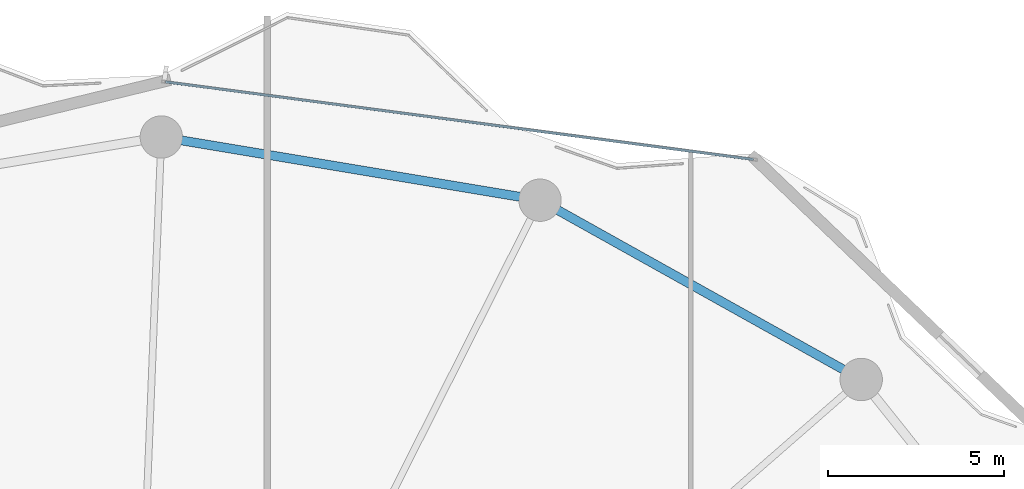
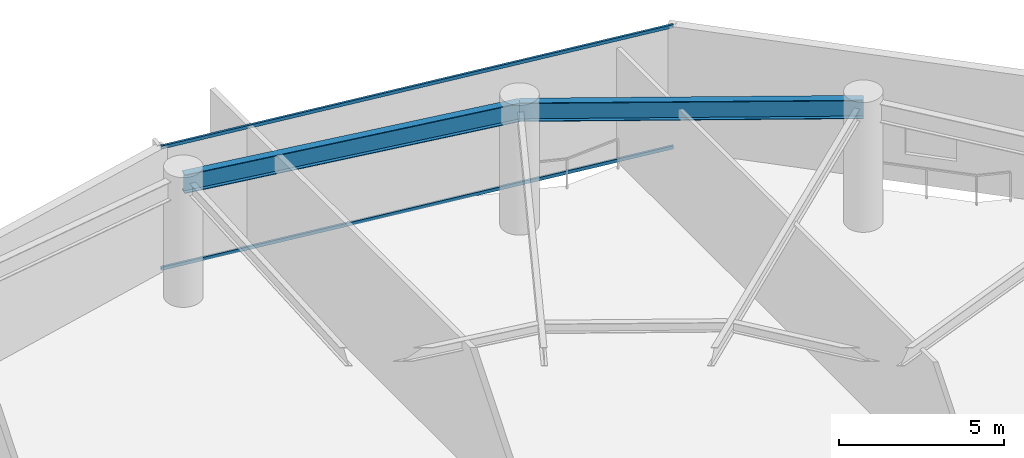
# One storey, part 21 of 30: 2 beams, 2 members, 1 element without a shape of its own.
"""IFC4 building model written with IfcOpenShell, lengths in metres."""

from ifc_helpers import new_model, si_unit, direction, frame, origin, origin_2d, place, context, subcontext, project, spatial, hollow_rectangle, i_section, extrude, material, layer, layer_set, material_profile, profile_set, type_object, element, aggregate, save


model = new_model("IFC4")

# Units and contexts
model_context = context("Model", 3, precision=1e-05, world=origin(), true_north=direction((0.0, 1.0)))
body_context = subcontext(model_context, "Body", "Model", "MODEL_VIEW")
ifc_project = project(units=[si_unit("LENGTHUNIT", "METRE"), si_unit("AREAUNIT", "SQUARE_METRE"), si_unit("VOLUMEUNIT", "CUBIC_METRE"), si_unit("PLANEANGLEUNIT", "RADIAN"), si_unit("MASSUNIT", "GRAM", prefix="KILO")], contexts=[model_context])

# Site, building, storey
site_placement = place(None, origin())
site = spatial("IfcSite", under=ifc_project, at=site_placement, CompositionType="ELEMENT")
building_placement = place(site_placement, origin())
building = spatial("IfcBuilding", under=site, at=building_placement, Name="Kazevale Care Tower and Concert Hall", CompositionType="ELEMENT")
storey_placement = place(building_placement, frame((0.0, 0.0, 97.800048828125)))
storey = spatial("IfcBuildingStorey", under=building, at=storey_placement, Name="L25", CompositionType="ELEMENT", Elevation=97.800048828125)

# Curtain wall, members
ifc_material_1 = material(Name="Aluminium 6063-T6 and Low-E Glass", Category="aluminium")
ifc_layer = layer(ifc_material_1, 0.179931640625)
ifc_layer_set = layer_set([ifc_layer], Name="Aluminium 6063-T6 and Low-E Glass")
curtain_wall_type = type_object("IfcCurtainWallType", Name="Convex Recessed Sunroom Curtain Wall CW-3", PredefinedType="NOTDEFINED", material=ifc_layer_set)
curtain_wall_placement = place(storey_placement, origin())
curtain_wall = element("IfcCurtainWall", 1, at=curtain_wall_placement, inside=storey, type_object=curtain_wall_type, Name="cw:L25:f16", PredefinedType="NOTDEFINED")
ifc_material_2 = material(Name="Aluminium 6063-T6", Category="aluminium")
ifc_material_profile_1 = material_profile(ifc_material_2, hollow_rectangle(XDim=0.074951171875, YDim=0.1201171875, WallThickness=0.00390625, at=origin_2d()), Name="ALU75x120x4")
ifc_profile_set_1 = profile_set([ifc_material_profile_1], Name="Aluminium 6063-T6")
member_type = type_object("IfcMemberType", Name="CW-3 Transom ALU75x120x4", PredefinedType="USERDEFINED", material=ifc_profile_set_1)
member_1_placement = place(storey_placement, frame((45.121337890625, 63.01220703125, 0.037353515625), z_axis=(0.99140485097, -0.130829742311, 0.0), x_axis=(0.130829742311, 0.99140485097, 0.0)))
member_1 = element("IfcMember", 2, at=member_1_placement, type_object=member_type, Name="CW-3 transom 1.1", ObjectType="TRANSOM", PredefinedType="USERDEFINED", context=body_context, shape_type="SweptSolid", body=[
    extrude(hollow_rectangle(XDim=0.074951171875, YDim=0.1201171875, WallThickness=0.00390625, at=origin_2d()), origin(), (0.0, 0.0, 1.0), 16.796630859375),
])
member_2_placement = place(storey_placement, frame((45.121337890625, 63.01220703125, 4.5224609375), z_axis=(0.99140485097, -0.130829742311, 0.0), x_axis=(0.130829742311, 0.99140485097, 0.0)))
member_2 = element("IfcMember", 3, at=member_2_placement, type_object=member_type, Name="CW-3 transom 1.2", ObjectType="TRANSOM", PredefinedType="USERDEFINED", context=body_context, shape_type="SweptSolid", body=[
    extrude(hollow_rectangle(XDim=0.074951171875, YDim=0.1201171875, WallThickness=0.00390625, at=origin_2d()), origin(), (0.0, 0.0, 1.0), 16.796630859375),
])
aggregate(curtain_wall, [member_1, member_2])

# Beams
ifc_material_3 = material(Name="Steel ASTM A572 Gr 50", Category="steel")
ifc_material_profile_2 = material_profile(ifc_material_3, i_section(OverallWidth=0.256103515625, OverallDepth=0.693115234375, WebThickness=0.014404296875, FlangeThickness=0.023681640625, at=origin_2d()), Name="W690x170")
ifc_profile_set_2 = profile_set([ifc_material_profile_2], Name="Steel ASTM A572 Gr 50")
beam_type = type_object("IfcBeamType", Name="Waist Ring Beam W690x170", PredefinedType="BEAM", material=ifc_profile_set_2)
beam_1_placement = place(storey_placement, frame((64.830078125, 54.580078125, 4.21337890625), z_axis=(-0.873168720251, 0.487418081297, 0.0), x_axis=(-0.487418081297, -0.873168720251, 0.0)))
element("IfcBeam", 4, at=beam_1_placement, inside=storey, type_object=beam_type, Name="beam:L25:ring:03", PredefinedType="BEAM", context=body_context, shape_type="SweptSolid", body=[
    extrude(i_section(OverallWidth=0.256103515625, OverallDepth=0.693115234375, WebThickness=0.014404296875, FlangeThickness=0.023681640625, at=origin_2d()), origin(), (0.0, 0.0, 1.0), 10.421875),
])
beam_2_placement = place(storey_placement, frame((55.72998046875, 59.659912109375, 4.21337890625), z_axis=(-0.986368436187, 0.164551840139, 0.0), x_axis=(-0.164551840139, -0.986368436187, 0.0)))
element("IfcBeam", 5, at=beam_2_placement, inside=storey, type_object=beam_type, Name="beam:L25:ring:04", PredefinedType="BEAM", context=body_context, shape_type="SweptSolid", body=[
    extrude(i_section(OverallWidth=0.256103515625, OverallDepth=0.693115234375, WebThickness=0.014404296875, FlangeThickness=0.023681640625, at=origin_2d()), origin(), (0.0, 0.0, 1.0), 10.878173828125),
])

save(model, "model.ifc")
